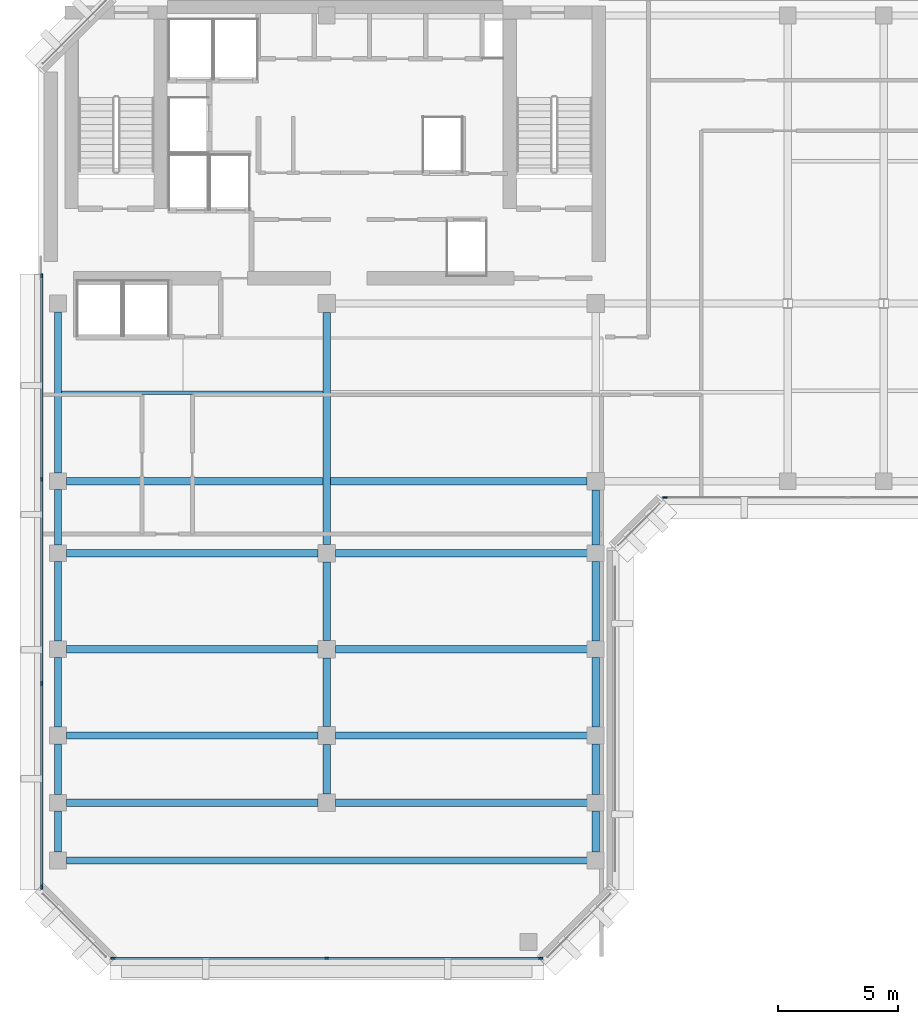
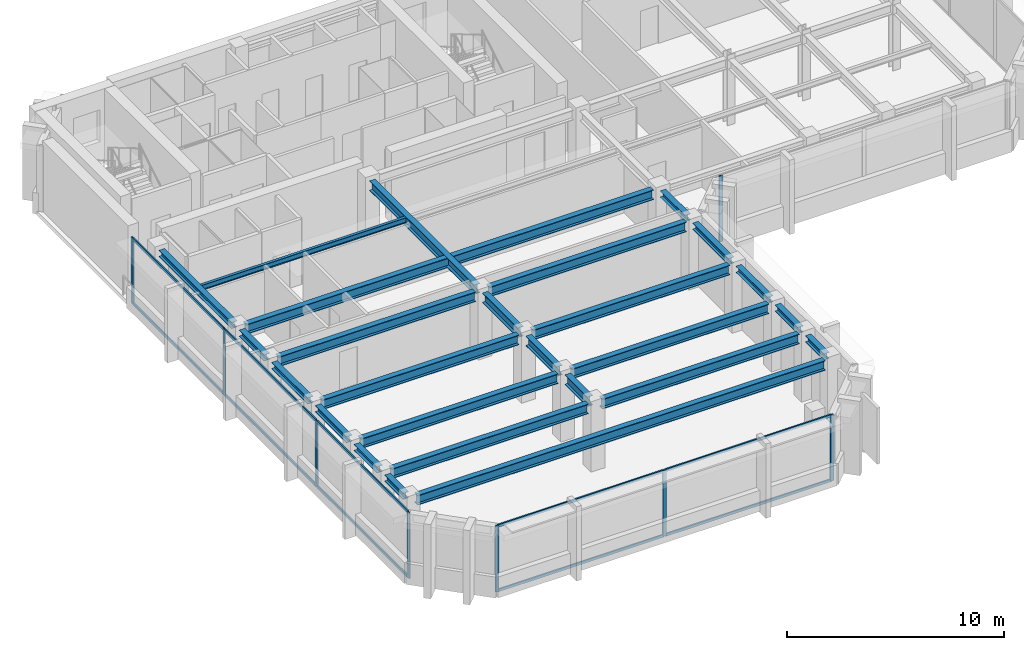
# One storey, part 2 of 11: 26 beams, 18 members, 3 elements without a shape of their own.
"""IFC4 building model written with IfcOpenShell, lengths in metres."""

import ifcopenshell
import ifcopenshell.guid

model = None  # the IFC model being written
_history = None  # IfcOwnerHistory: only IFC2X3 demands one
_inside = {}  # id of a spatial element -> (the spatial element, [elements in it])
_under = {}  # id of a project, library or spatial element -> (it, [spatial elements below it])
_declared = {}  # id of a project -> (the project, [libraries it declares])
_typed = {}  # id of a type object -> (the type object, [elements of that type])
_made_of = {}  # id of a material, layer set ... -> (it, [elements and type objects made of it])


def new_model(schema):
    """Start an empty IFC model of exactly this schema.

    Asked for "IFC4X3", IfcOpenShell would pick the latest addendum, in which some entities
    have other attributes; the version numbers below select the first issue.
    IFC2X3 requires an IfcOwnerHistory on every rooted entity: one is made here for all.
    """
    global model, _history
    if schema == "IFC4X3":
        model = ifcopenshell.file(schema_version=(4, 3, 0, 0))
    else:
        model = ifcopenshell.file(schema=schema)
    _inside.clear()
    _under.clear()
    _declared.clear()
    _typed.clear()
    _made_of.clear()
    _history = None
    if model.schema == "IFC2X3":
        org = make("IfcOrganization", Name="unknown")
        user = make(
            "IfcPersonAndOrganization",
            ThePerson=make("IfcPerson", FamilyName="unknown"),
            TheOrganization=org,
        )
        app = make(
            "IfcApplication",
            ApplicationDeveloper=org,
            Version="unknown",
            ApplicationFullName="unknown",
            ApplicationIdentifier="unknown",
        )
        _history = make(
            "IfcOwnerHistory",
            OwningUser=user,
            OwningApplication=app,
            ChangeAction="ADDED",
            CreationDate=0,
        )
    return model


def make(cls, **values):
    """One entity of the class cls with the attributes given. An attribute that is None is left unset."""
    return model.create_entity(
        cls, **{name: value for name, value in values.items() if value is not None}
    )


def rooted(cls, **values):
    """An entity with a GlobalId (a new one), such as an element, a storey or a relation."""
    return make(cls, GlobalId=ifcopenshell.guid.new(), OwnerHistory=_history, **values)


def si_unit(unit_type, name, prefix=None):
    """IfcSIUnit, for example si_unit("LENGTHUNIT", "METRE", prefix="MILLI")."""
    return make("IfcSIUnit", UnitType=unit_type, Prefix=prefix, Name=name)


def assignment(units):
    """IfcUnitAssignment: the units of a project."""
    return None if units is None else make("IfcUnitAssignment", Units=units)


def point(xyz):
    """IfcCartesianPoint."""
    return None if xyz is None else make("IfcCartesianPoint", Coordinates=xyz)


def direction(xyz):
    """IfcDirection."""
    return None if xyz is None else make("IfcDirection", DirectionRatios=xyz)


def frame(location, z_axis=None, x_axis=None):
    """IfcAxis2Placement3D, a coordinate frame: its origin and axes. An axis left out is left unset."""
    return make(
        "IfcAxis2Placement3D",
        Location=point(location),
        Axis=direction(z_axis),
        RefDirection=direction(x_axis),
    )


def frame_2d(location, x_axis=None):
    """IfcAxis2Placement2D, a coordinate frame in the plane: its origin and x axis."""
    return make(
        "IfcAxis2Placement2D", Location=point(location), RefDirection=direction(x_axis)
    )


def origin():
    """The frame at (0, 0, 0) with its axes left unset."""
    return frame((0.0, 0.0, 0.0))


def origin_2d():
    """The frame at (0, 0) in the plane with its x axis left unset."""
    return frame_2d((0.0, 0.0))


def place(relative_to, where):
    """IfcLocalPlacement: puts the frame where relative to a parent placement (None: the world)."""
    return make(
        "IfcLocalPlacement", PlacementRelTo=relative_to, RelativePlacement=where
    )


def context(
    kind, dimensions, precision=None, world=None, true_north=None, identifier=None
):
    """IfcGeometricRepresentationContext, for example the 3D "Model" context."""
    return make(
        "IfcGeometricRepresentationContext",
        ContextIdentifier=identifier,
        ContextType=kind,
        CoordinateSpaceDimension=dimensions,
        Precision=precision,
        WorldCoordinateSystem=world,
        TrueNorth=true_north,
    )


def subcontext(parent, identifier, kind, view, scale=None):
    """IfcGeometricRepresentationSubContext, for example "Body" below "Model"."""
    return make(
        "IfcGeometricRepresentationSubContext",
        ContextIdentifier=identifier,
        ContextType=kind,
        ParentContext=parent,
        TargetScale=scale,
        TargetView=view,
    )


def project(units=None, contexts=None):
    """IfcProject with its units and contexts."""
    return rooted(
        "IfcProject",
        Name="project",
        RepresentationContexts=contexts,
        UnitsInContext=assignment(units),
    )


def spatial(cls, under=None, at=None, **own):
    """A site, building, storey or space (cls), placed at a placement, below another one or the project."""
    s = rooted(cls, ObjectPlacement=at, **own)
    if under is not None:
        _under.setdefault(under.id(), (under, []))[1].append(s)
    return s


def profile(cls, at=None, kind="AREA", **sizes):
    """A parametric profile (cls). Its sizes go by their IFC names, for example OverallWidth=200.0."""
    return make(cls, ProfileType=kind, Position=at, **sizes)


def rectangle(**sizes):
    """IfcRectangleProfileDef."""
    return profile("IfcRectangleProfileDef", **sizes)


def i_section(**sizes):
    """IfcIShapeProfileDef."""
    return profile("IfcIShapeProfileDef", **sizes)


def extrude(swept, where, along, depth):
    """IfcExtrudedAreaSolid: the profile swept, set in the frame where, extruded along a direction by depth."""
    return make(
        "IfcExtrudedAreaSolid",
        SweptArea=swept,
        Position=where,
        ExtrudedDirection=direction(along),
        Depth=depth,
    )


def shape(context_of_items, identifier, shape_type, items):
    """IfcShapeRepresentation: the items that make up one representation, for example the "Body"."""
    return make(
        "IfcShapeRepresentation",
        ContextOfItems=context_of_items,
        RepresentationIdentifier=identifier,
        RepresentationType=shape_type,
        Items=items,
    )


def material(Name=None, Category=None):
    """IfcMaterial."""
    return make("IfcMaterial", Name=Name, Category=Category)


def layer(
    of_material, thickness, ventilated=None, Name=None, Category=None, Priority=None
):
    """IfcMaterialLayer: one layer of a wall or slab, of a material (None: an air gap)."""
    return make(
        "IfcMaterialLayer",
        Material=of_material,
        LayerThickness=thickness,
        IsVentilated=ventilated,
        Name=Name,
        Category=Category,
        Priority=Priority,
    )


def layer_set(layers, Name=None):
    """IfcMaterialLayerSet."""
    return make("IfcMaterialLayerSet", MaterialLayers=layers, LayerSetName=Name)


def material_profile(
    of_material, cross_section, Name=None, Category=None, Priority=None
):
    """IfcMaterialProfile: a cross section and its material."""
    return make(
        "IfcMaterialProfile",
        Name=Name,
        Material=of_material,
        Profile=cross_section,
        Priority=Priority,
        Category=Category,
    )


def profile_set(profiles, Name=None, composite=None):
    """IfcMaterialProfileSet."""
    return make(
        "IfcMaterialProfileSet",
        Name=Name,
        MaterialProfiles=profiles,
        CompositeProfile=composite,
    )


def made_of(thing, what):
    """Note that an element or type object is made of a material, layer set ...; save() writes the relation."""
    if what is not None:
        _made_of.setdefault(what.id(), (what, []))[1].append(thing)
    return thing


def type_object(cls, material=None, **own):
    """A type object (cls), such as IfcWallType, which elements share."""
    return made_of(rooted(cls, **own), material)


def element(
    cls,
    number,
    at=None,
    inside=None,
    cuts=None,
    type_object=None,
    material=None,
    context=None,
    identifier="Body",
    shape_type=None,
    held_by="IfcProductDefinitionShape",
    body=None,
    shapes=None,
    **own,
):
    """One element of the class cls, such as IfcWall. Its Tag is "e" and its number.

    at: its placement. inside: the storey or other place that contains it. cuts: it is an
    opening in that element (IfcRelVoidsElement). A single representation is given by context,
    identifier, shape_type and body (its items); several are given by shapes. held_by: the class
    of the entity that holds the representations. save() writes the other relations.
    """
    e = rooted(cls, Tag="e%d" % number, ObjectPlacement=at, **own)
    if body is not None:
        shapes = [shape(context, identifier, shape_type, body)]
    if shapes is not None:
        e.Representation = make(held_by, Representations=shapes)
    if inside is not None:
        _inside.setdefault(inside.id(), (inside, []))[1].append(e)
    if cuts is not None:
        rooted(
            "IfcRelVoidsElement", RelatingBuildingElement=cuts, RelatedOpeningElement=e
        )
    if type_object is not None:
        _typed.setdefault(type_object.id(), (type_object, []))[1].append(e)
    return made_of(e, material)


def aggregate(whole, parts):
    """IfcRelAggregates: a whole, such as a stair, and the parts it consists of."""
    return rooted("IfcRelAggregates", RelatingObject=whole, RelatedObjects=parts)


def save(model, path):
    """Write the relations noted so far, then the file.

    IfcRelAggregates (storeys below a building ...), IfcRelContainedInSpatialStructure (elements
    in a storey), IfcRelDefinesByType, IfcRelAssociatesMaterial and IfcRelDeclares: one each for
    every whole, place, type object, material and project.
    """
    for whole, parts in _under.values():
        aggregate(whole, parts)
    for where, things in _inside.values():
        rooted(
            "IfcRelContainedInSpatialStructure",
            RelatedElements=things,
            RelatingStructure=where,
        )
    for kind, things in _typed.values():
        rooted("IfcRelDefinesByType", RelatedObjects=things, RelatingType=kind)
    for what, things in _made_of.values():
        rooted("IfcRelAssociatesMaterial", RelatedObjects=things, RelatingMaterial=what)
    for by, libraries in _declared.values():
        rooted("IfcRelDeclares", RelatingContext=by, RelatedDefinitions=libraries)
    model.write(path)


model = new_model("IFC4")

# Units and contexts
model_context = context("Model", 3, precision=1e-05, world=origin(), true_north=direction((0.0, 1.0)))
body_context = subcontext(model_context, "Body", "Model", "MODEL_VIEW")
ifc_project = project(units=[si_unit("LENGTHUNIT", "METRE"), si_unit("AREAUNIT", "SQUARE_METRE"), si_unit("VOLUMEUNIT", "CUBIC_METRE"), si_unit("PLANEANGLEUNIT", "RADIAN"), si_unit("MASSUNIT", "GRAM", prefix="KILO")], contexts=[model_context])

# Site, building, storey
site_placement = place(None, origin())
site = spatial("IfcSite", under=ifc_project, at=site_placement, CompositionType="ELEMENT")
building_placement = place(site_placement, origin())
building = spatial("IfcBuilding", under=site, at=building_placement, Name="Kefirva Bronze Tower", CompositionType="ELEMENT")
storey_placement = place(building_placement, frame((0.0, 0.0, 343.530029296875)))
storey = spatial("IfcBuildingStorey", under=building, at=storey_placement, Name="L84", CompositionType="ELEMENT", Elevation=343.530029296875)

# Curtain wall, members
ifc_material_1 = material(Name="Bronze anodised aluminium", Category="aluminium")
ifc_layer = layer(ifc_material_1, 0.179931640625, Name="Bronze anodised aluminium")
ifc_layer_set = layer_set([ifc_layer], Name="Bronze anodised aluminium")
curtain_wall_type = type_object("IfcCurtainWallType", Name="Unitised Bronze Ribbon Curtain Wall Zone 4", PredefinedType="USERDEFINED", material=ifc_layer_set)
curtain_wall_1_placement = place(storey_placement, origin())
curtain_wall_1 = element("IfcCurtainWall", 1, at=curtain_wall_1_placement, inside=storey, type_object=curtain_wall_type, Name="L84 Curtain Wall 1", ObjectType="UNITISED CURTAIN WALL", PredefinedType="USERDEFINED")
ifc_material_profile_1 = material_profile(ifc_material_1, rectangle(XDim=0.074951171875, YDim=0.179931640625, at=origin_2d()), Name="ALU 75x180")
ifc_profile_set_1 = profile_set([ifc_material_profile_1], Name="Bronze anodised aluminium")
member_type_1 = type_object("IfcMemberType", Name="Bronze Mullion 75x180", PredefinedType="MULLION", material=ifc_profile_set_1)
member_1_placement = place(storey_placement, frame((3.092529296875, 5.919921875, 0.0), z_axis=(0.0, 0.0, 1.0), x_axis=(0.0, 1.0, 0.0)))
member_1 = element("IfcMember", 2, at=member_1_placement, type_object=member_type_1, Name="CW-04 mullion 1", PredefinedType="MULLION", context=body_context, shape_type="SweptSolid", body=[
    extrude(rectangle(XDim=0.074951171875, YDim=0.179931640625, at=origin_2d()), origin(), (0.0, 0.0, 1.0), 3.7099609375),
])
member_2_placement = place(storey_placement, frame((12.0, 5.919921875, 0.0), z_axis=(0.0, 0.0, 1.0), x_axis=(0.0, 1.0, 0.0)))
member_2 = element("IfcMember", 3, at=member_2_placement, type_object=member_type_1, Name="CW-04 mullion 2", PredefinedType="MULLION", context=body_context, shape_type="SweptSolid", body=[
    extrude(rectangle(XDim=0.074951171875, YDim=0.179931640625, at=origin_2d()), origin(), (0.0, 0.0, 1.0), 3.7099609375),
])
member_3_placement = place(storey_placement, frame((20.907470703125, 5.919921875, 0.0), z_axis=(0.0, 0.0, 1.0), x_axis=(0.0, 1.0, 0.0)))
member_3 = element("IfcMember", 4, at=member_3_placement, type_object=member_type_1, Name="CW-04 mullion 3", PredefinedType="MULLION", context=body_context, shape_type="SweptSolid", body=[
    extrude(rectangle(XDim=0.074951171875, YDim=0.179931640625, at=origin_2d()), origin(), (0.0, 0.0, 1.0), 3.7099609375),
])

# Curtain wall, member
curtain_wall_2_placement = place(storey_placement, origin())
curtain_wall_2 = element("IfcCurtainWall", 5, at=curtain_wall_2_placement, inside=storey, type_object=curtain_wall_type, Name="L84 Curtain Wall 2", ObjectType="UNITISED CURTAIN WALL", PredefinedType="USERDEFINED")
member_4_placement = place(storey_placement, frame((26.092529296875, 25.1201171875, 0.0), z_axis=(0.0, 0.0, 1.0), x_axis=(0.0, 1.0, 0.0)))
member_4 = element("IfcMember", 6, at=member_4_placement, type_object=member_type_1, Name="CW-04 mullion 1", PredefinedType="MULLION", context=body_context, shape_type="SweptSolid", body=[
    extrude(rectangle(XDim=0.074951171875, YDim=0.179931640625, at=origin_2d()), origin(), (0.0, 0.0, 1.0), 3.7099609375),
])
aggregate(curtain_wall_2, [member_4])

# Curtain wall, members
curtain_wall_3_placement = place(storey_placement, origin())
curtain_wall_3 = element("IfcCurtainWall", 7, at=curtain_wall_3_placement, inside=storey, type_object=curtain_wall_type, Name="L84 Curtain Wall 5", ObjectType="UNITISED CURTAIN WALL", PredefinedType="USERDEFINED")
member_5_placement = place(storey_placement, frame((0.1201171875, 34.357421875, 0.0), z_axis=(0.0, 0.0, 1.0), x_axis=(1.0, 0.0, 0.0)))
member_5 = element("IfcMember", 8, at=member_5_placement, type_object=member_type_1, Name="CW-04 mullion 1", PredefinedType="MULLION", context=body_context, shape_type="SweptSolid", body=[
    extrude(rectangle(XDim=0.074951171875, YDim=0.179931640625, at=origin_2d()), origin(), (0.0, 0.0, 1.0), 3.7099609375),
])
member_6_placement = place(storey_placement, frame((0.1201171875, 25.881591796875, 0.0), z_axis=(0.0, 0.0, 1.0), x_axis=(1.0, 0.0, 0.0)))
member_6 = element("IfcMember", 9, at=member_6_placement, type_object=member_type_1, Name="CW-04 mullion 2", PredefinedType="MULLION", context=body_context, shape_type="SweptSolid", body=[
    extrude(rectangle(XDim=0.074951171875, YDim=0.179931640625, at=origin_2d()), origin(), (0.0, 0.0, 1.0), 3.7099609375),
])
member_7_placement = place(storey_placement, frame((0.1201171875, 17.368408203125, 0.0), z_axis=(0.0, 0.0, 1.0), x_axis=(1.0, 0.0, 0.0)))
member_7 = element("IfcMember", 10, at=member_7_placement, type_object=member_type_1, Name="CW-04 mullion 3", PredefinedType="MULLION", context=body_context, shape_type="SweptSolid", body=[
    extrude(rectangle(XDim=0.074951171875, YDim=0.179931640625, at=origin_2d()), origin(), (0.0, 0.0, 1.0), 3.7099609375),
])
member_8_placement = place(storey_placement, frame((0.1201171875, 8.892578125, 0.0), z_axis=(0.0, 0.0, 1.0), x_axis=(1.0, 0.0, 0.0)))
member_8 = element("IfcMember", 11, at=member_8_placement, type_object=member_type_1, Name="CW-04 mullion 4", PredefinedType="MULLION", context=body_context, shape_type="SweptSolid", body=[
    extrude(rectangle(XDim=0.074951171875, YDim=0.179931640625, at=origin_2d()), origin(), (0.0, 0.0, 1.0), 3.7099609375),
])

# Member
ifc_material_profile_2 = material_profile(ifc_material_1, rectangle(XDim=0.074951171875, YDim=0.14990234375, at=origin_2d()), Name="ALU 75x150")
ifc_profile_set_2 = profile_set([ifc_material_profile_2], Name="Bronze anodised aluminium")
member_type_2 = type_object("IfcMemberType", Name="Bronze Transom 75x150", PredefinedType="USERDEFINED", material=ifc_profile_set_2)
member_9_placement = place(storey_placement, frame((3.1298828125, 5.919921875, 0.037353515625), z_axis=(1.0, 0.0, 0.0), x_axis=(0.0, 1.0, 0.0)))
member_9 = element("IfcMember", 12, at=member_9_placement, type_object=member_type_2, Name="CW-04 transom 1.1", ObjectType="TRANSOM", PredefinedType="USERDEFINED", context=body_context, shape_type="SweptSolid", body=[
    extrude(rectangle(XDim=0.074951171875, YDim=0.14990234375, at=origin_2d()), origin(), (0.0, 0.0, 1.0), 8.83251953125),
])

member_10_placement = place(storey_placement, frame((3.1298828125, 5.919921875, 3.67236328125), z_axis=(1.0, 0.0, 0.0), x_axis=(0.0, 1.0, 0.0)))
member_10 = element("IfcMember", 13, at=member_10_placement, type_object=member_type_2, Name="CW-04 transom 1.2", ObjectType="TRANSOM", PredefinedType="USERDEFINED", context=body_context, shape_type="SweptSolid", body=[
    extrude(rectangle(XDim=0.074951171875, YDim=0.14990234375, at=origin_2d()), origin(), (0.0, 0.0, 1.0), 8.83251953125),
])

member_11_placement = place(storey_placement, frame((12.03759765625, 5.919921875, 0.037353515625), z_axis=(1.0, 0.0, 0.0), x_axis=(0.0, 1.0, 0.0)))
member_11 = element("IfcMember", 14, at=member_11_placement, type_object=member_type_2, Name="CW-04 transom 2.1", ObjectType="TRANSOM", PredefinedType="USERDEFINED", context=body_context, shape_type="SweptSolid", body=[
    extrude(rectangle(XDim=0.074951171875, YDim=0.14990234375, at=origin_2d()), origin(), (0.0, 0.0, 1.0), 8.83251953125),
])

member_12_placement = place(storey_placement, frame((12.03759765625, 5.919921875, 3.67236328125), z_axis=(1.0, 0.0, 0.0), x_axis=(0.0, 1.0, 0.0)))
member_12 = element("IfcMember", 15, at=member_12_placement, type_object=member_type_2, Name="CW-04 transom 2.2", ObjectType="TRANSOM", PredefinedType="USERDEFINED", context=body_context, shape_type="SweptSolid", body=[
    extrude(rectangle(XDim=0.074951171875, YDim=0.14990234375, at=origin_2d()), origin(), (0.0, 0.0, 1.0), 8.83251953125),
])

aggregate(curtain_wall_1, [member_1, member_2, member_3, member_9, member_10, member_11, member_12])

member_13_placement = place(storey_placement, frame((0.1201171875, 34.320068359375, 0.037353515625), z_axis=(0.0, -1.0, 0.0), x_axis=(1.0, 0.0, 0.0)))
member_13 = element("IfcMember", 16, at=member_13_placement, type_object=member_type_2, Name="CW-04 transom 1.1", ObjectType="TRANSOM", PredefinedType="USERDEFINED", context=body_context, shape_type="SweptSolid", body=[
    extrude(rectangle(XDim=0.074951171875, YDim=0.14990234375, at=origin_2d()), origin(), (0.0, 0.0, 1.0), 8.40087890625),
])

member_14_placement = place(storey_placement, frame((0.1201171875, 34.320068359375, 3.67236328125), z_axis=(0.0, -1.0, 0.0), x_axis=(1.0, 0.0, 0.0)))
member_14 = element("IfcMember", 17, at=member_14_placement, type_object=member_type_2, Name="CW-04 transom 1.2", ObjectType="TRANSOM", PredefinedType="USERDEFINED", context=body_context, shape_type="SweptSolid", body=[
    extrude(rectangle(XDim=0.074951171875, YDim=0.14990234375, at=origin_2d()), origin(), (0.0, 0.0, 1.0), 8.40087890625),
])

member_15_placement = place(storey_placement, frame((0.1201171875, 25.84423828125, 0.037353515625), z_axis=(0.0, -1.0, 0.0), x_axis=(1.0, 0.0, 0.0)))
member_15 = element("IfcMember", 18, at=member_15_placement, type_object=member_type_2, Name="CW-04 transom 2.1", ObjectType="TRANSOM", PredefinedType="USERDEFINED", context=body_context, shape_type="SweptSolid", body=[
    extrude(rectangle(XDim=0.074951171875, YDim=0.14990234375, at=origin_2d()), origin(), (0.0, 0.0, 1.0), 8.4384765625),
])

member_16_placement = place(storey_placement, frame((0.1201171875, 25.84423828125, 3.67236328125), z_axis=(0.0, -1.0, 0.0), x_axis=(1.0, 0.0, 0.0)))
member_16 = element("IfcMember", 19, at=member_16_placement, type_object=member_type_2, Name="CW-04 transom 2.2", ObjectType="TRANSOM", PredefinedType="USERDEFINED", context=body_context, shape_type="SweptSolid", body=[
    extrude(rectangle(XDim=0.074951171875, YDim=0.14990234375, at=origin_2d()), origin(), (0.0, 0.0, 1.0), 8.4384765625),
])

member_17_placement = place(storey_placement, frame((0.1201171875, 17.330810546875, 0.037353515625), z_axis=(0.0, -1.0, 0.0), x_axis=(1.0, 0.0, 0.0)))
member_17 = element("IfcMember", 20, at=member_17_placement, type_object=member_type_2, Name="CW-04 transom 3.1", ObjectType="TRANSOM", PredefinedType="USERDEFINED", context=body_context, shape_type="SweptSolid", body=[
    extrude(rectangle(XDim=0.074951171875, YDim=0.14990234375, at=origin_2d()), origin(), (0.0, 0.0, 1.0), 8.40087890625),
])

member_18_placement = place(storey_placement, frame((0.1201171875, 17.330810546875, 3.67236328125), z_axis=(0.0, -1.0, 0.0), x_axis=(1.0, 0.0, 0.0)))
member_18 = element("IfcMember", 21, at=member_18_placement, type_object=member_type_2, Name="CW-04 transom 3.2", ObjectType="TRANSOM", PredefinedType="USERDEFINED", context=body_context, shape_type="SweptSolid", body=[
    extrude(rectangle(XDim=0.074951171875, YDim=0.14990234375, at=origin_2d()), origin(), (0.0, 0.0, 1.0), 8.40087890625),
])

aggregate(curtain_wall_3, [member_5, member_6, member_7, member_8, member_13, member_14, member_15, member_16, member_17, member_18])

# Beams
ifc_material_2 = material(Name="Steel S355", Category="steel")
ifc_material_profile_3 = material_profile(ifc_material_2, i_section(OverallWidth=0.14990234375, OverallDepth=0.300048828125, WebThickness=0.007080078125, FlangeThickness=0.0107421875, at=origin_2d()), Name="IPE 300")
ifc_profile_set_3 = profile_set([ifc_material_profile_3], Name="Steel S355")
beam_type_1 = type_object("IfcBeamType", Name="Steel Floor Joist IPE 300", PredefinedType="JOIST", material=ifc_profile_set_3)
beam_1_placement = place(storey_placement, frame((0.949951171875, 29.489990234375, 3.56005859375), z_axis=(1.0, 0.0, 0.0), x_axis=(0.0, 1.0, 0.0)))
element("IfcBeam", 22, at=beam_1_placement, inside=storey, type_object=beam_type_1, Name="L84 JST-L84-0-294", PredefinedType="JOIST", context=body_context, shape_type="SweptSolid", body=[
    extrude(i_section(OverallWidth=0.14990234375, OverallDepth=0.300048828125, WebThickness=0.007080078125, FlangeThickness=0.0107421875, at=origin_2d()), origin(), (0.0, 0.0, 1.0), 10.900146484375),
])
ifc_material_profile_4 = material_profile(ifc_material_2, i_section(OverallWidth=0.300048828125, OverallDepth=0.550048828125, WebThickness=0.014892578125, FlangeThickness=0.029052734375, at=origin_2d()), Name="HEB 550")
ifc_profile_set_4 = profile_set([ifc_material_profile_4], Name="Steel S355")
beam_type_2 = type_object("IfcBeamType", Name="Steel Girder HEB 550", PredefinedType="USERDEFINED", material=ifc_profile_set_4)
beam_2_placement = place(storey_placement, frame((1.14990234375, 10.0, 3.405029296875), z_axis=(1.0, 0.0, 0.0), x_axis=(0.0, 1.0, 0.0)))
element("IfcBeam", 23, at=beam_2_placement, inside=storey, type_object=beam_type_2, Name="L84 BM-L84-EW-0-100", ObjectType="GIRDER", PredefinedType="USERDEFINED", context=body_context, shape_type="SweptSolid", body=[
    extrude(i_section(OverallWidth=0.300048828125, OverallDepth=0.550048828125, WebThickness=0.014892578125, FlangeThickness=0.029052734375, at=origin_2d()), origin(), (0.0, 0.0, 1.0), 21.7001953125),
])
for number, where, z_axis, x_axis, name in (
    (24, (1.14990234375, 12.39990234375, 3.43505859375), (1.0, 0.0, 0.0), (0.0, 1.0, 0.0), "L84 BM-L84-EW-0-124"),
    (25, (12.3701171875, 12.39990234375, 3.43505859375), (1.0, 0.0, 0.0), (0.0, 1.0, 0.0), "L84 BM-L84-EW-12-124"),
    (26, (1.14990234375, 15.199951171875, 3.43505859375), (1.0, 0.0, 0.0), (0.0, 1.0, 0.0), "L84 BM-L84-EW-0-152"),
    (27, (12.3701171875, 15.199951171875, 3.43505859375), (1.0, 0.0, 0.0), (0.0, 1.0, 0.0), "L84 BM-L84-EW-12-152"),
    (28, (1.14990234375, 18.800048828125, 3.43505859375), (1.0, 0.0, 0.0), (0.0, 1.0, 0.0), "L84 BM-L84-EW-0-188"),
    (29, (12.3701171875, 18.800048828125, 3.43505859375), (1.0, 0.0, 0.0), (0.0, 1.0, 0.0), "L84 BM-L84-EW-12-188"),
    (30, (1.14990234375, 22.800048828125, 3.43505859375), (1.0, 0.0, 0.0), (0.0, 1.0, 0.0), "L84 BM-L84-EW-0-228"),
    (31, (12.3701171875, 22.800048828125, 3.43505859375), (1.0, 0.0, 0.0), (0.0, 1.0, 0.0), "L84 BM-L84-EW-12-228"),
):
    element("IfcBeam", number, at=place(storey_placement, frame(where, z_axis=z_axis, x_axis=x_axis)), inside=storey, type_object=beam_type_2, Name=name, ObjectType="GIRDER", PredefinedType="USERDEFINED", context=body_context, shape_type="SweptSolid", body=[
        extrude(i_section(OverallWidth=0.300048828125, OverallDepth=0.550048828125, WebThickness=0.014892578125, FlangeThickness=0.029052734375, at=origin_2d()), origin(), (0.0, 0.0, 1.0), 10.47998046875),
    ])
beam_3_placement = place(storey_placement, frame((1.14990234375, 25.800048828125, 3.43505859375), z_axis=(1.0, 0.0, 0.0), x_axis=(0.0, 1.0, 0.0)))
element("IfcBeam", 32, at=beam_3_placement, inside=storey, type_object=beam_type_2, Name="L84 BM-L84-EW-0-258", ObjectType="GIRDER", PredefinedType="USERDEFINED", context=body_context, shape_type="SweptSolid", body=[
    extrude(i_section(OverallWidth=0.300048828125, OverallDepth=0.550048828125, WebThickness=0.014892578125, FlangeThickness=0.029052734375, at=origin_2d()), origin(), (0.0, 0.0, 1.0), 21.68017578125),
])
beam_4_placement = place(storey_placement, frame((12.0, 12.77001953125, 3.43505859375), z_axis=(0.0, 1.0, 0.0), x_axis=(-1.0, 0.0, 0.0)))
element("IfcBeam", 33, at=beam_4_placement, inside=storey, type_object=beam_type_2, Name="L84 BM-L84-NS-120-12", ObjectType="GIRDER", PredefinedType="USERDEFINED", context=body_context, shape_type="SweptSolid", body=[
    extrude(i_section(OverallWidth=0.300048828125, OverallDepth=0.550048828125, WebThickness=0.014892578125, FlangeThickness=0.029052734375, at=origin_2d()), origin(), (0.0, 0.0, 1.0), 2.06005859375),
])
beam_5_placement = place(storey_placement, frame((12.0, 15.570068359375, 3.43505859375), z_axis=(0.0, 1.0, 0.0), x_axis=(-1.0, 0.0, 0.0)))
element("IfcBeam", 34, at=beam_5_placement, inside=storey, type_object=beam_type_2, Name="L84 BM-L84-NS-120-15", ObjectType="GIRDER", PredefinedType="USERDEFINED", context=body_context, shape_type="SweptSolid", body=[
    extrude(i_section(OverallWidth=0.300048828125, OverallDepth=0.550048828125, WebThickness=0.014892578125, FlangeThickness=0.029052734375, at=origin_2d()), origin(), (0.0, 0.0, 1.0), 2.85986328125),
])
beam_6_placement = place(storey_placement, frame((12.0, 19.169921875, 3.43505859375), z_axis=(0.0, 1.0, 0.0), x_axis=(-1.0, 0.0, 0.0)))
element("IfcBeam", 35, at=beam_6_placement, inside=storey, type_object=beam_type_2, Name="L84 BM-L84-NS-120-18", ObjectType="GIRDER", PredefinedType="USERDEFINED", context=body_context, shape_type="SweptSolid", body=[
    extrude(i_section(OverallWidth=0.300048828125, OverallDepth=0.550048828125, WebThickness=0.014892578125, FlangeThickness=0.029052734375, at=origin_2d()), origin(), (0.0, 0.0, 1.0), 3.260009765625),
])
beam_7_placement = place(storey_placement, frame((12.0, 23.169921875, 3.43505859375), z_axis=(0.0, 1.0, 0.0), x_axis=(-1.0, 0.0, 0.0)))
element("IfcBeam", 36, at=beam_7_placement, inside=storey, type_object=beam_type_2, Name="L84 BM-L84-NS-120-22", ObjectType="GIRDER", PredefinedType="USERDEFINED", context=body_context, shape_type="SweptSolid", body=[
    extrude(i_section(OverallWidth=0.300048828125, OverallDepth=0.550048828125, WebThickness=0.014892578125, FlangeThickness=0.029052734375, at=origin_2d()), origin(), (0.0, 0.0, 1.0), 9.66015625),
])
ifc_material_profile_5 = material_profile(ifc_material_2, i_section(OverallWidth=0.300048828125, OverallDepth=0.360107421875, WebThickness=0.012451171875, FlangeThickness=0.0224609375, at=origin_2d()), Name="HEB 360")
ifc_profile_set_5 = profile_set([ifc_material_profile_5], Name="Steel S355")
beam_type_3 = type_object("IfcBeamType", Name="Steel Spandrel HEB 360 Ext", PredefinedType="SPANDREL", material=ifc_profile_set_5)
beam_8_placement = place(storey_placement, frame((0.800048828125, 10.35009765625, 3.5), z_axis=(0.0, 1.0, 0.0), x_axis=(-1.0, 0.0, 0.0)))
element("IfcBeam", 37, at=beam_8_placement, inside=storey, type_object=beam_type_3, Name="L84 BM-L84-NS-8-10", PredefinedType="SPANDREL", context=body_context, shape_type="SweptSolid", body=[
    extrude(i_section(OverallWidth=0.300048828125, OverallDepth=0.360107421875, WebThickness=0.012451171875, FlangeThickness=0.0224609375, at=origin_2d()), origin(), (0.0, 0.0, 1.0), 1.699951171875),
])
beam_9_placement = place(storey_placement, frame((0.800048828125, 12.75, 3.530029296875), z_axis=(0.0, 1.0, 0.0), x_axis=(-1.0, 0.0, 0.0)))
element("IfcBeam", 38, at=beam_9_placement, inside=storey, type_object=beam_type_3, Name="L84 BM-L84-NS-8-12", PredefinedType="SPANDREL", context=body_context, shape_type="SweptSolid", body=[
    extrude(i_section(OverallWidth=0.300048828125, OverallDepth=0.360107421875, WebThickness=0.012451171875, FlangeThickness=0.0224609375, at=origin_2d()), origin(), (0.0, 0.0, 1.0), 2.10009765625),
])
beam_10_placement = place(storey_placement, frame((0.800048828125, 15.550048828125, 3.530029296875), z_axis=(0.0, 1.0, 0.0), x_axis=(-1.0, 0.0, 0.0)))
element("IfcBeam", 39, at=beam_10_placement, inside=storey, type_object=beam_type_3, Name="L84 BM-L84-NS-8-15", PredefinedType="SPANDREL", context=body_context, shape_type="SweptSolid", body=[
    extrude(i_section(OverallWidth=0.300048828125, OverallDepth=0.360107421875, WebThickness=0.012451171875, FlangeThickness=0.0224609375, at=origin_2d()), origin(), (0.0, 0.0, 1.0), 2.89990234375),
])
beam_11_placement = place(storey_placement, frame((0.800048828125, 19.14990234375, 3.530029296875), z_axis=(0.0, 1.0, 0.0), x_axis=(-1.0, 0.0, 0.0)))
element("IfcBeam", 40, at=beam_11_placement, inside=storey, type_object=beam_type_3, Name="L84 BM-L84-NS-8-18", PredefinedType="SPANDREL", context=body_context, shape_type="SweptSolid", body=[
    extrude(i_section(OverallWidth=0.300048828125, OverallDepth=0.360107421875, WebThickness=0.012451171875, FlangeThickness=0.0224609375, at=origin_2d()), origin(), (0.0, 0.0, 1.0), 3.300048828125),
])
beam_12_placement = place(storey_placement, frame((0.800048828125, 23.14990234375, 3.530029296875), z_axis=(0.0, 1.0, 0.0), x_axis=(-1.0, 0.0, 0.0)))
element("IfcBeam", 41, at=beam_12_placement, inside=storey, type_object=beam_type_3, Name="L84 BM-L84-NS-8-22", PredefinedType="SPANDREL", context=body_context, shape_type="SweptSolid", body=[
    extrude(i_section(OverallWidth=0.300048828125, OverallDepth=0.360107421875, WebThickness=0.012451171875, FlangeThickness=0.0224609375, at=origin_2d()), origin(), (0.0, 0.0, 1.0), 2.300048828125),
])
beam_13_placement = place(storey_placement, frame((0.800048828125, 26.14990234375, 3.530029296875), z_axis=(0.0, 1.0, 0.0), x_axis=(-1.0, 0.0, 0.0)))
element("IfcBeam", 42, at=beam_13_placement, inside=storey, type_object=beam_type_3, Name="L84 BM-L84-NS-8-25", PredefinedType="SPANDREL", context=body_context, shape_type="SweptSolid", body=[
    extrude(i_section(OverallWidth=0.300048828125, OverallDepth=0.360107421875, WebThickness=0.012451171875, FlangeThickness=0.0224609375, at=origin_2d()), origin(), (0.0, 0.0, 1.0), 6.7001953125),
])
beam_14_placement = place(storey_placement, frame((23.199951171875, 10.35009765625, 3.5), z_axis=(0.0, 1.0, 0.0), x_axis=(-1.0, 0.0, 0.0)))
element("IfcBeam", 43, at=beam_14_placement, inside=storey, type_object=beam_type_3, Name="L84 BM-L84-NS-232-10", PredefinedType="SPANDREL", context=body_context, shape_type="SweptSolid", body=[
    extrude(i_section(OverallWidth=0.300048828125, OverallDepth=0.360107421875, WebThickness=0.012451171875, FlangeThickness=0.0224609375, at=origin_2d()), origin(), (0.0, 0.0, 1.0), 1.699951171875),
])
beam_15_placement = place(storey_placement, frame((23.199951171875, 12.75, 3.530029296875), z_axis=(0.0, 1.0, 0.0), x_axis=(-1.0, 0.0, 0.0)))
element("IfcBeam", 44, at=beam_15_placement, inside=storey, type_object=beam_type_3, Name="L84 BM-L84-NS-232-12", PredefinedType="SPANDREL", context=body_context, shape_type="SweptSolid", body=[
    extrude(i_section(OverallWidth=0.300048828125, OverallDepth=0.360107421875, WebThickness=0.012451171875, FlangeThickness=0.0224609375, at=origin_2d()), origin(), (0.0, 0.0, 1.0), 2.10009765625),
])
beam_16_placement = place(storey_placement, frame((23.199951171875, 15.550048828125, 3.530029296875), z_axis=(0.0, 1.0, 0.0), x_axis=(-1.0, 0.0, 0.0)))
element("IfcBeam", 45, at=beam_16_placement, inside=storey, type_object=beam_type_3, Name="L84 BM-L84-NS-232-15", PredefinedType="SPANDREL", context=body_context, shape_type="SweptSolid", body=[
    extrude(i_section(OverallWidth=0.300048828125, OverallDepth=0.360107421875, WebThickness=0.012451171875, FlangeThickness=0.0224609375, at=origin_2d()), origin(), (0.0, 0.0, 1.0), 2.89990234375),
])
beam_17_placement = place(storey_placement, frame((23.199951171875, 19.14990234375, 3.530029296875), z_axis=(0.0, 1.0, 0.0), x_axis=(-1.0, 0.0, 0.0)))
element("IfcBeam", 46, at=beam_17_placement, inside=storey, type_object=beam_type_3, Name="L84 BM-L84-NS-232-18", PredefinedType="SPANDREL", context=body_context, shape_type="SweptSolid", body=[
    extrude(i_section(OverallWidth=0.300048828125, OverallDepth=0.360107421875, WebThickness=0.012451171875, FlangeThickness=0.0224609375, at=origin_2d()), origin(), (0.0, 0.0, 1.0), 3.300048828125),
])
beam_18_placement = place(storey_placement, frame((23.199951171875, 23.14990234375, 3.530029296875), z_axis=(0.0, 1.0, 0.0), x_axis=(-1.0, 0.0, 0.0)))
element("IfcBeam", 47, at=beam_18_placement, inside=storey, type_object=beam_type_3, Name="L84 BM-L84-NS-232-22", PredefinedType="SPANDREL", context=body_context, shape_type="SweptSolid", body=[
    extrude(i_section(OverallWidth=0.300048828125, OverallDepth=0.360107421875, WebThickness=0.012451171875, FlangeThickness=0.0224609375, at=origin_2d()), origin(), (0.0, 0.0, 1.0), 2.280029296875),
])

save(model, "model.ifc")
